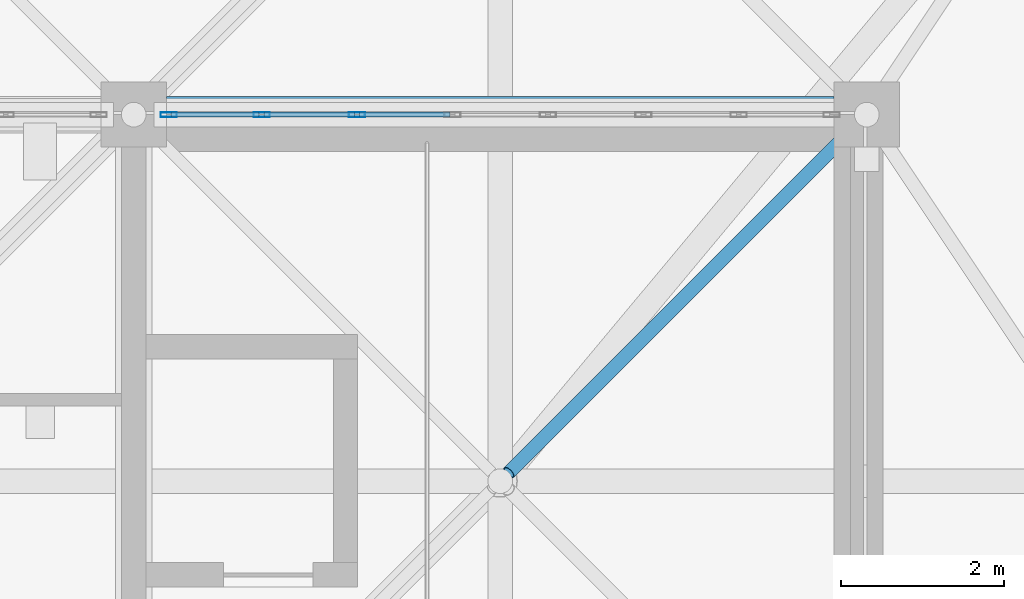
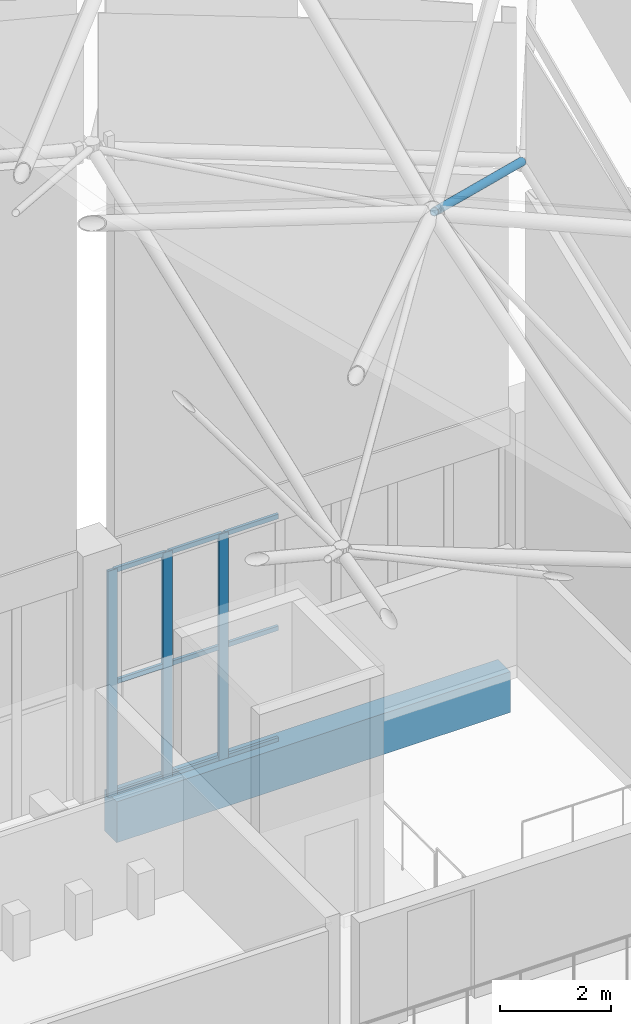
# One storey, part 141 of 437: 13 members, 1 beam, 1 element without a shape of its own.
"""IFC4 building model written with IfcOpenShell, lengths in metres."""

from ifc_helpers import new_model, si_unit, direction, frame, origin, origin_2d, place, context, subcontext, project, spatial, rectangle, hollow_rectangle, hollow_circle, extrude, material, layer, layer_set, material_profile, profile_set, type_object, element, aggregate, save


model = new_model("IFC4")

# Units and contexts
model_context = context("Model", 3, precision=1e-05, world=origin(), true_north=direction((0.0, 1.0)))
body_context = subcontext(model_context, "Body", "Model", "MODEL_VIEW")
ifc_project = project(units=[si_unit("LENGTHUNIT", "METRE"), si_unit("AREAUNIT", "SQUARE_METRE"), si_unit("VOLUMEUNIT", "CUBIC_METRE"), si_unit("PLANEANGLEUNIT", "RADIAN"), si_unit("MASSUNIT", "GRAM", prefix="KILO")], contexts=[model_context])

# Site, building, storey
site_placement = place(None, origin())
site = spatial("IfcSite", under=ifc_project, at=site_placement, CompositionType="ELEMENT")
building_placement = place(site_placement, origin())
building = spatial("IfcBuilding", under=site, at=building_placement, Name="Opaline Strait Convention Centre", CompositionType="ELEMENT")
storey_placement = place(building_placement, frame((0.0, 0.0, 11.5)))
storey = spatial("IfcBuildingStorey", under=building, at=storey_placement, Name="L02", CompositionType="ELEMENT", Elevation=11.5)

# Curtain wall, members
ifc_material_1 = material(Name="Aluminium framed double glazing", Category="aluminium")
ifc_layer = layer(ifc_material_1, 0.199951171875)
ifc_layer_set = layer_set([ifc_layer], Name="Aluminium framed double glazing")
curtain_wall_type = type_object("IfcCurtainWallType", Name="Curtain wall 1250", PredefinedType="NOTDEFINED", material=ifc_layer_set)
curtain_wall_placement = place(storey_placement, origin())
curtain_wall = element("IfcCurtainWall", 1, at=curtain_wall_placement, inside=storey, type_object=curtain_wall_type, Name="Curtain wall N-63-L02", PredefinedType="NOTDEFINED")
ifc_material_2 = material(Name="Aluminium alloy 6063", Category="aluminium")
ifc_material_profile_1 = material_profile(ifc_material_2, hollow_rectangle(XDim=0.06005859375, YDim=0.199951171875, WallThickness=0.00390625, at=origin_2d()), Name="MULLION 60x200x4")
ifc_profile_set_1 = profile_set([ifc_material_profile_1], Name="Aluminium alloy 6063")
member_type_1 = type_object("IfcMemberType", Name="Curtain wall mullion 60 x 200", PredefinedType="MULLION", material=ifc_profile_set_1)
member_1_placement = place(storey_placement, frame((63.429931640625, 180.0, -0.280029296875), z_axis=(0.0, 0.0, 1.0), x_axis=(0.0, 1.0, 0.0)))
member_1 = element("IfcMember", 2, at=member_1_placement, type_object=member_type_1, Name="PCW mullion 1", PredefinedType="MULLION", context=body_context, shape_type="SweptSolid", body=[
    extrude(hollow_rectangle(XDim=0.06005859375, YDim=0.199951171875, WallThickness=0.00390625, at=origin_2d()), origin(), (0.0, 0.0, 1.0), 4.97998046875),
])
member_2_placement = place(storey_placement, frame((64.5712890625, 180.0, -0.280029296875), z_axis=(0.0, 0.0, 1.0), x_axis=(0.0, 1.0, 0.0)))
member_2 = element("IfcMember", 3, at=member_2_placement, type_object=member_type_1, Name="PCW mullion 2", PredefinedType="MULLION", context=body_context, shape_type="SweptSolid", body=[
    extrude(hollow_rectangle(XDim=0.06005859375, YDim=0.199951171875, WallThickness=0.00390625, at=origin_2d()), origin(), (0.0, 0.0, 1.0), 4.97998046875),
])
member_3_placement = place(storey_placement, frame((65.742919921875, 180.0, -0.280029296875), z_axis=(0.0, 0.0, 1.0), x_axis=(0.0, 1.0, 0.0)))
member_3 = element("IfcMember", 4, at=member_3_placement, type_object=member_type_1, Name="PCW mullion 3", PredefinedType="MULLION", context=body_context, shape_type="SweptSolid", body=[
    extrude(hollow_rectangle(XDim=0.06005859375, YDim=0.199951171875, WallThickness=0.00390625, at=origin_2d()), origin(), (0.0, 0.0, 1.0), 4.97998046875),
])
ifc_material_profile_2 = material_profile(ifc_material_2, hollow_rectangle(XDim=0.06005859375, YDim=0.10009765625, WallThickness=0.0029296875, at=origin_2d()), Name="TRANSOM 60x100x3")
ifc_profile_set_2 = profile_set([ifc_material_profile_2], Name="Aluminium alloy 6063")
member_type_2 = type_object("IfcMemberType", Name="Curtain wall transom 60 x 100", PredefinedType="USERDEFINED", material=ifc_profile_set_2)
member_4_placement = place(storey_placement, frame((63.4599609375, 180.0, -0.25), z_axis=(1.0, 0.0, 0.0), x_axis=(0.0, 1.0, 0.0)))
member_4 = element("IfcMember", 5, at=member_4_placement, type_object=member_type_2, Name="PCW transom 1.1", ObjectType="TRANSOM", PredefinedType="USERDEFINED", context=body_context, shape_type="SweptSolid", body=[
    extrude(hollow_rectangle(XDim=0.06005859375, YDim=0.10009765625, WallThickness=0.0029296875, at=origin_2d()), origin(), (0.0, 0.0, 1.0), 1.081298828125),
])
member_5_placement = place(storey_placement, frame((63.4599609375, 180.0, 2.2099609375), z_axis=(1.0, 0.0, 0.0), x_axis=(0.0, 1.0, 0.0)))
member_5 = element("IfcMember", 6, at=member_5_placement, type_object=member_type_2, Name="PCW transom 1.2", ObjectType="TRANSOM", PredefinedType="USERDEFINED", context=body_context, shape_type="SweptSolid", body=[
    extrude(hollow_rectangle(XDim=0.06005859375, YDim=0.10009765625, WallThickness=0.0029296875, at=origin_2d()), origin(), (0.0, 0.0, 1.0), 1.081298828125),
])
member_6_placement = place(storey_placement, frame((63.4599609375, 180.0, 4.669921875), z_axis=(1.0, 0.0, 0.0), x_axis=(0.0, 1.0, 0.0)))
member_6 = element("IfcMember", 7, at=member_6_placement, type_object=member_type_2, Name="PCW transom 1.3", ObjectType="TRANSOM", PredefinedType="USERDEFINED", context=body_context, shape_type="SweptSolid", body=[
    extrude(hollow_rectangle(XDim=0.06005859375, YDim=0.10009765625, WallThickness=0.0029296875, at=origin_2d()), origin(), (0.0, 0.0, 1.0), 1.081298828125),
])
member_7_placement = place(storey_placement, frame((64.601318359375, 180.0, -0.25), z_axis=(1.0, 0.0, 0.0), x_axis=(0.0, 1.0, 0.0)))
member_7 = element("IfcMember", 8, at=member_7_placement, type_object=member_type_2, Name="PCW transom 2.1", ObjectType="TRANSOM", PredefinedType="USERDEFINED", context=body_context, shape_type="SweptSolid", body=[
    extrude(hollow_rectangle(XDim=0.06005859375, YDim=0.10009765625, WallThickness=0.0029296875, at=origin_2d()), origin(), (0.0, 0.0, 1.0), 1.111572265625),
])
member_8_placement = place(storey_placement, frame((64.601318359375, 180.0, 2.2099609375), z_axis=(1.0, 0.0, 0.0), x_axis=(0.0, 1.0, 0.0)))
member_8 = element("IfcMember", 9, at=member_8_placement, type_object=member_type_2, Name="PCW transom 2.2", ObjectType="TRANSOM", PredefinedType="USERDEFINED", context=body_context, shape_type="SweptSolid", body=[
    extrude(hollow_rectangle(XDim=0.06005859375, YDim=0.10009765625, WallThickness=0.0029296875, at=origin_2d()), origin(), (0.0, 0.0, 1.0), 1.111572265625),
])
member_9_placement = place(storey_placement, frame((64.601318359375, 180.0, 4.669921875), z_axis=(1.0, 0.0, 0.0), x_axis=(0.0, 1.0, 0.0)))
member_9 = element("IfcMember", 10, at=member_9_placement, type_object=member_type_2, Name="PCW transom 2.3", ObjectType="TRANSOM", PredefinedType="USERDEFINED", context=body_context, shape_type="SweptSolid", body=[
    extrude(hollow_rectangle(XDim=0.06005859375, YDim=0.10009765625, WallThickness=0.0029296875, at=origin_2d()), origin(), (0.0, 0.0, 1.0), 1.111572265625),
])
member_10_placement = place(storey_placement, frame((65.772705078125, 180.0, -0.25), z_axis=(1.0, 0.0, 0.0), x_axis=(0.0, 1.0, 0.0)))
member_10 = element("IfcMember", 11, at=member_10_placement, type_object=member_type_2, Name="PCW transom 3.1", ObjectType="TRANSOM", PredefinedType="USERDEFINED", context=body_context, shape_type="SweptSolid", body=[
    extrude(hollow_rectangle(XDim=0.06005859375, YDim=0.10009765625, WallThickness=0.0029296875, at=origin_2d()), origin(), (0.0, 0.0, 1.0), 1.111572265625),
])
member_11_placement = place(storey_placement, frame((65.772705078125, 180.0, 2.2099609375), z_axis=(1.0, 0.0, 0.0), x_axis=(0.0, 1.0, 0.0)))
member_11 = element("IfcMember", 12, at=member_11_placement, type_object=member_type_2, Name="PCW transom 3.2", ObjectType="TRANSOM", PredefinedType="USERDEFINED", context=body_context, shape_type="SweptSolid", body=[
    extrude(hollow_rectangle(XDim=0.06005859375, YDim=0.10009765625, WallThickness=0.0029296875, at=origin_2d()), origin(), (0.0, 0.0, 1.0), 1.111572265625),
])
member_12_placement = place(storey_placement, frame((65.772705078125, 180.0, 4.669921875), z_axis=(1.0, 0.0, 0.0), x_axis=(0.0, 1.0, 0.0)))
member_12 = element("IfcMember", 13, at=member_12_placement, type_object=member_type_2, Name="PCW transom 3.3", ObjectType="TRANSOM", PredefinedType="USERDEFINED", context=body_context, shape_type="SweptSolid", body=[
    extrude(hollow_rectangle(XDim=0.06005859375, YDim=0.10009765625, WallThickness=0.0029296875, at=origin_2d()), origin(), (0.0, 0.0, 1.0), 1.111572265625),
])
aggregate(curtain_wall, [member_1, member_2, member_3, member_4, member_5, member_6, member_7, member_8, member_9, member_10, member_11, member_12])

# Beam
ifc_material_3 = material(Name="Concrete C35", Category="concrete")
ifc_material_profile_3 = material_profile(ifc_material_3, rectangle(XDim=0.449951171875, YDim=0.89990234375, at=origin_2d()), Name="RC 450x900")
ifc_profile_set_3 = profile_set([ifc_material_profile_3], Name="Concrete C35")
beam_type = type_object("IfcBeamType", Name="RC floor beam 450x900 C35", PredefinedType="BEAM", material=ifc_profile_set_3)
beam_placement = place(storey_placement, frame((63.39990234375, 180.0, -0.72998046875), z_axis=(1.0, 0.0, 0.0), x_axis=(0.0, 1.0, 0.0)))
element("IfcBeam", 14, at=beam_placement, inside=storey, type_object=beam_type, Name="PFB1 L02 beam 8/W-9/W", PredefinedType="BEAM", context=body_context, shape_type="SweptSolid", body=[
    extrude(rectangle(XDim=0.449951171875, YDim=0.89990234375, at=origin_2d()), origin(), (0.0, 0.0, 1.0), 8.2001953125),
])

# Member
ifc_material_4 = material(Name="Steel Q355B", Category="steel")
ifc_material_profile_4 = material_profile(ifc_material_4, hollow_circle(Radius=0.083984375, WallThickness=0.010009765625, at=origin_2d()), Name="CHS 168x10")
ifc_profile_set_4 = profile_set([ifc_material_profile_4], Name="Steel Q355B")
member_type_3 = type_object("IfcMemberType", Name="Shell truss web CHS 168x10", PredefinedType="BRACE", material=ifc_profile_set_4)
member_13_placement = place(storey_placement, frame((71.893798828125, 179.893798828125, 10.769287109375), z_axis=(-0.633718163842, -0.633718163842, 0.443624365464), x_axis=(0.707106781187, -0.707106781187, 0.0)))
element("IfcMember", 15, at=member_13_placement, inside=storey, type_object=member_type_3, Name="PWB1 web 8-8ac", PredefinedType="BRACE", context=body_context, shape_type="SweptSolid", body=[
    extrude(hollow_circle(Radius=0.083984375, WallThickness=0.010009765625, at=origin_2d()), origin(), (0.0, 0.0, 1.0), 6.765869140625),
])

save(model, "model.ifc")
